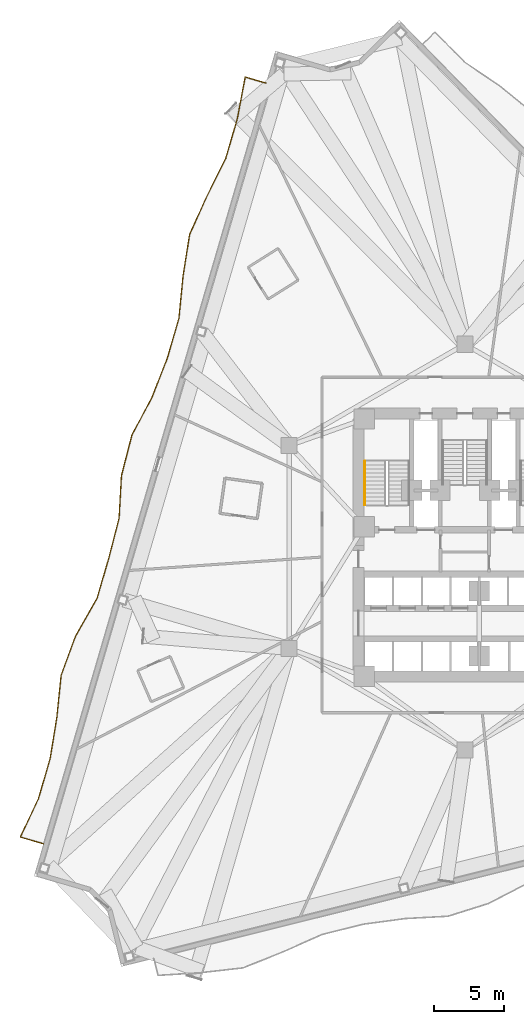
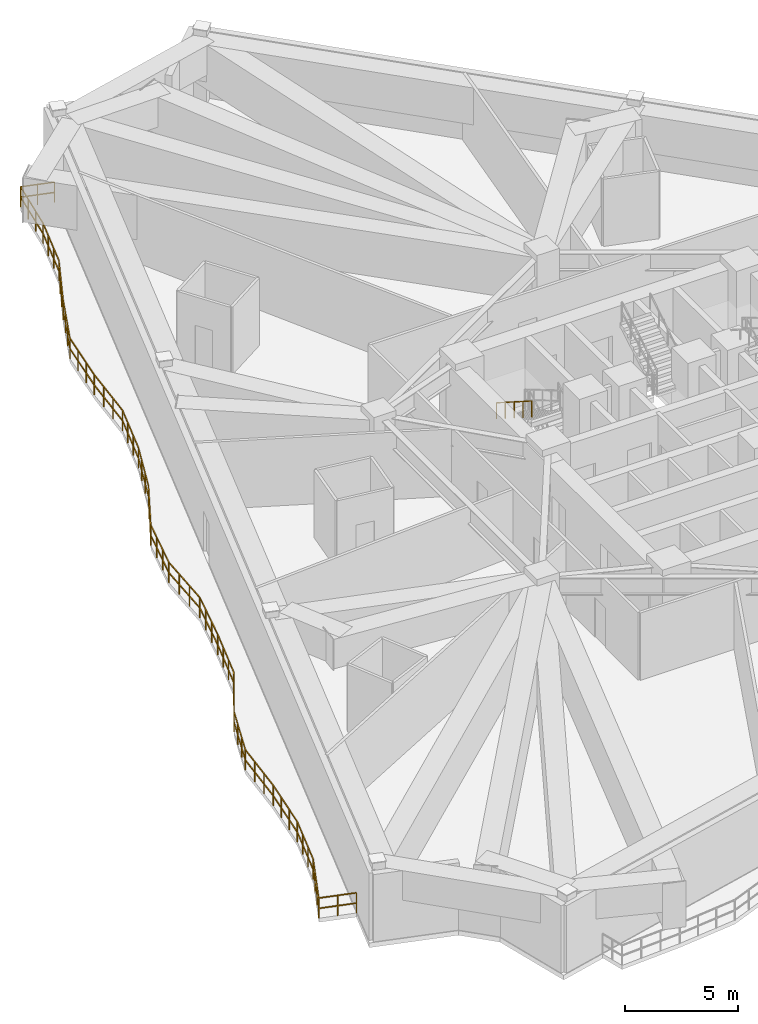
# One storey, part 12 of 14: 2 railings.
"""IFC4 building model written with IfcOpenShell, lengths in metres."""

from ifc_helpers import new_model, si_unit, direction, frame, origin, origin_2d, place, context, subcontext, project, spatial, rectangle, extrude, material, type_object, element, save


model = new_model("IFC4")

# Units and contexts
model_context = context("Model", 3, precision=1e-05, world=origin(), true_north=direction((0.0, 1.0)))
body_context = subcontext(model_context, "Body", "Model", "MODEL_VIEW")
ifc_project = project(units=[si_unit("LENGTHUNIT", "METRE"), si_unit("AREAUNIT", "SQUARE_METRE"), si_unit("VOLUMEUNIT", "CUBIC_METRE"), si_unit("PLANEANGLEUNIT", "RADIAN"), si_unit("MASSUNIT", "GRAM", prefix="KILO")], contexts=[model_context])

# Site, building, storey
site_placement = place(None, origin())
site = spatial("IfcSite", under=ifc_project, at=site_placement, CompositionType="ELEMENT")
building_placement = place(site_placement, origin())
building = spatial("IfcBuilding", under=site, at=building_placement, Name="Apsidion Concourse Tower", CompositionType="ELEMENT")
storey_placement = place(building_placement, frame((0.0, 0.0, 123.0)))
storey = spatial("IfcBuildingStorey", under=building, at=storey_placement, Name="L28", CompositionType="ELEMENT", Elevation=123.0)

# Railings
ifc_material = material(Name="Brushed stainless steel 316", Category="steel")
railing_type_1 = type_object("IfcRailingType", Name="RL-BAL-1120", PredefinedType="BALUSTRADE", material=ifc_material)
railing_1_placement = place(storey_placement, frame((-30.13330078125, -21.2216796875, 0.0)))
element("IfcRailing", 1, at=railing_1_placement, inside=storey, type_object=railing_type_1, Name="L28 Face 1 Rippling Balcony Balustrade", PredefinedType="BALUSTRADE", context=body_context, shape_type="SweptSolid", body=[
    extrude(rectangle(XDim=0.048095703125, YDim=0.048095703125, at=origin_2d()), frame((0.0, 0.0, 1.09619140625), z_axis=(-0.959791512446, 0.280713826943, 0.0), x_axis=(-0.280713826943, -0.959791512446, 0.0)), (0.0, 0.0, 1.0), 1.72021484375),
    extrude(rectangle(XDim=0.048095703125, YDim=0.048095703125, at=origin_2d()), frame((0.0, 0.0, 0.5361328125), z_axis=(-0.959791512446, 0.280713826943, 0.0), x_axis=(-0.280713826943, -0.959791512446, 0.0)), (0.0, 0.0, 1.0), 1.72021484375),
    extrude(rectangle(XDim=0.048095703125, YDim=0.048095703125, at=origin_2d()), frame((-1.651123046875, 0.48291015625, 1.09619140625), z_axis=(0.42678961385, 0.904350941565, 0.0), x_axis=(-0.904350941565, 0.42678961385, 0.0)), (0.0, 0.0, 1.0), 3.019775390625),
    extrude(rectangle(XDim=0.048095703125, YDim=0.048095703125, at=origin_2d()), frame((-1.651123046875, 0.48291015625, 0.5361328125), z_axis=(0.42678961385, 0.904350941565, 0.0), x_axis=(-0.904350941565, 0.42678961385, 0.0)), (0.0, 0.0, 1.0), 3.019775390625),
    extrude(rectangle(XDim=0.048095703125, YDim=0.048095703125, at=origin_2d()), frame((-0.3623046875, 3.2138671875, 1.09619140625), z_axis=(0.280823361776, 0.959759469597, 0.0), x_axis=(-0.959759469597, 0.280823361776, 0.0)), (0.0, 0.0, 1.0), 2.98291015625),
    extrude(rectangle(XDim=0.048095703125, YDim=0.048095703125, at=origin_2d()), frame((-0.3623046875, 3.2138671875, 0.5361328125), z_axis=(0.280823361776, 0.959759469597, 0.0), x_axis=(-0.959759469597, 0.280823361776, 0.0)), (0.0, 0.0, 1.0), 2.98291015625),
    extrude(rectangle(XDim=0.048095703125, YDim=0.048095703125, at=origin_2d()), frame((0.475341796875, 6.07666015625, 1.09619140625), z_axis=(0.160657200853, 0.987010265303, 0.0), x_axis=(-0.987010265303, 0.160657200853, 0.0)), (0.0, 0.0, 1.0), 3.005859375),
    extrude(rectangle(XDim=0.048095703125, YDim=0.048095703125, at=origin_2d()), frame((0.475341796875, 6.07666015625, 0.5361328125), z_axis=(0.160657200853, 0.987010265303, 0.0), x_axis=(-0.987010265303, 0.160657200853, 0.0)), (0.0, 0.0, 1.0), 3.005859375),
    extrude(rectangle(XDim=0.048095703125, YDim=0.048095703125, at=origin_2d()), frame((0.958251953125, 9.04345703125, 1.09619140625), z_axis=(0.101081295951, 0.994878169229, 0.0), x_axis=(-0.994878169229, 0.101081295951, 0.0)), (0.0, 0.0, 1.0), 3.03369140625),
    extrude(rectangle(XDim=0.048095703125, YDim=0.048095703125, at=origin_2d()), frame((0.958251953125, 9.04345703125, 0.5361328125), z_axis=(0.101081295951, 0.994878169229, 0.0), x_axis=(-0.994878169229, 0.101081295951, 0.0)), (0.0, 0.0, 1.0), 3.03369140625),
    extrude(rectangle(XDim=0.048095703125, YDim=0.048095703125, at=origin_2d()), frame((1.264892578125, 12.0615234375, 1.09619140625), z_axis=(0.346825033594, 0.937929846029, 0.0), x_axis=(-0.937929846029, 0.346825033594, 0.0)), (0.0, 0.0, 1.0), 2.990234375),
    extrude(rectangle(XDim=0.048095703125, YDim=0.048095703125, at=origin_2d()), frame((1.264892578125, 12.0615234375, 0.5361328125), z_axis=(0.346825033594, 0.937929846029, 0.0), x_axis=(-0.937929846029, 0.346825033594, 0.0)), (0.0, 0.0, 1.0), 2.990234375),
    extrude(rectangle(XDim=0.048095703125, YDim=0.048095703125, at=origin_2d()), frame((2.302001953125, 14.8662109375, 1.09619140625), z_axis=(0.496653137114, 0.867949112215, 0.0), x_axis=(-0.867949112215, 0.496653137114, 0.0)), (0.0, 0.0, 1.0), 3.0673828125),
    extrude(rectangle(XDim=0.048095703125, YDim=0.048095703125, at=origin_2d()), frame((2.302001953125, 14.8662109375, 0.5361328125), z_axis=(0.496653137114, 0.867949112215, 0.0), x_axis=(-0.867949112215, 0.496653137114, 0.0)), (0.0, 0.0, 1.0), 3.0673828125),
    extrude(rectangle(XDim=0.048095703125, YDim=0.048095703125, at=origin_2d()), frame((3.825439453125, 17.528564453125, 1.09619140625), z_axis=(0.280725911516, 0.959787977943, 0.0), x_axis=(-0.959787977943, 0.280725911516, 0.0)), (0.0, 0.0, 1.0), 2.98291015625),
    extrude(rectangle(XDim=0.048095703125, YDim=0.048095703125, at=origin_2d()), frame((3.825439453125, 17.528564453125, 0.5361328125), z_axis=(0.280725911516, 0.959787977943, 0.0), x_axis=(-0.959787977943, 0.280725911516, 0.0)), (0.0, 0.0, 1.0), 2.98291015625),
    extrude(rectangle(XDim=0.048095703125, YDim=0.048095703125, at=origin_2d()), frame((4.662841796875, 20.3916015625, 1.09619140625), z_axis=(0.249746891283, 0.968311153656, 0.0), x_axis=(-0.968311153656, 0.249746891283, 0.0)), (0.0, 0.0, 1.0), 2.984375),
    extrude(rectangle(XDim=0.048095703125, YDim=0.048095703125, at=origin_2d()), frame((4.662841796875, 20.3916015625, 0.5361328125), z_axis=(0.249746891283, 0.968311153656, 0.0), x_axis=(-0.968311153656, 0.249746891283, 0.0)), (0.0, 0.0, 1.0), 2.984375),
    extrude(rectangle(XDim=0.048095703125, YDim=0.048095703125, at=origin_2d()), frame((5.408203125, 23.281494140625, 1.09619140625), z_axis=(0.056207416359, 0.998419113572, 0.0), x_axis=(-0.998419113572, 0.056207416359, 0.0)), (0.0, 0.0, 1.0), 3.062255859375),
    extrude(rectangle(XDim=0.048095703125, YDim=0.048095703125, at=origin_2d()), frame((5.408203125, 23.281494140625, 0.5361328125), z_axis=(0.056207416359, 0.998419113572, 0.0), x_axis=(-0.998419113572, 0.056207416359, 0.0)), (0.0, 0.0, 1.0), 3.062255859375),
    extrude(rectangle(XDim=0.048095703125, YDim=0.048095703125, at=origin_2d()), frame((5.580322265625, 26.3388671875, 1.09619140625), z_axis=(0.250053659167, 0.968231980229, 0.0), x_axis=(-0.968231980229, 0.250053659167, 0.0)), (0.0, 0.0, 1.0), 2.984619140625),
    extrude(rectangle(XDim=0.048095703125, YDim=0.048095703125, at=origin_2d()), frame((5.580322265625, 26.3388671875, 0.5361328125), z_axis=(0.250053659167, 0.968231980229, 0.0), x_axis=(-0.968231980229, 0.250053659167, 0.0)), (0.0, 0.0, 1.0), 2.984619140625),
    extrude(rectangle(XDim=0.048095703125, YDim=0.048095703125, at=origin_2d()), frame((6.32666015625, 29.228759765625, 1.09619140625), z_axis=(0.470018286931, 0.882656677282, 0.0), x_axis=(-0.882656677282, 0.470018286931, 0.0)), (0.0, 0.0, 1.0), 3.04638671875),
    extrude(rectangle(XDim=0.048095703125, YDim=0.048095703125, at=origin_2d()), frame((6.32666015625, 29.228759765625, 0.5361328125), z_axis=(0.470018286931, 0.882656677282, 0.0), x_axis=(-0.882656677282, 0.470018286931, 0.0)), (0.0, 0.0, 1.0), 3.04638671875),
    extrude(rectangle(XDim=0.048095703125, YDim=0.048095703125, at=origin_2d()), frame((7.758544921875, 31.917724609375, 1.09619140625), z_axis=(0.36464831204, 0.931145320842, 0.0), x_axis=(-0.931145320842, 0.36464831204, 0.0)), (0.0, 0.0, 1.0), 2.994873046875),
    extrude(rectangle(XDim=0.048095703125, YDim=0.048095703125, at=origin_2d()), frame((7.758544921875, 31.917724609375, 0.5361328125), z_axis=(0.36464831204, 0.931145320842, 0.0), x_axis=(-0.931145320842, 0.36464831204, 0.0)), (0.0, 0.0, 1.0), 2.994873046875),
    extrude(rectangle(XDim=0.048095703125, YDim=0.048095703125, at=origin_2d()), frame((8.8505859375, 34.706298828125, 1.09619140625), z_axis=(0.280747965083, 0.959781527277, 0.0), x_axis=(-0.959781527277, 0.280747965083, 0.0)), (0.0, 0.0, 1.0), 2.982666015625),
    extrude(rectangle(XDim=0.048095703125, YDim=0.048095703125, at=origin_2d()), frame((8.8505859375, 34.706298828125, 0.5361328125), z_axis=(0.280747965083, 0.959781527277, 0.0), x_axis=(-0.959781527277, 0.280747965083, 0.0)), (0.0, 0.0, 1.0), 2.982666015625),
    extrude(rectangle(XDim=0.048095703125, YDim=0.048095703125, at=origin_2d()), frame((9.68798828125, 37.569091796875, 1.09619140625), z_axis=(0.096072396978, 0.995374348946, 0.0), x_axis=(-0.995374348946, 0.096072396978, 0.0)), (0.0, 0.0, 1.0), 3.036865234375),
    extrude(rectangle(XDim=0.048095703125, YDim=0.048095703125, at=origin_2d()), frame((9.68798828125, 37.569091796875, 0.5361328125), z_axis=(0.096072396978, 0.995374348946, 0.0), x_axis=(-0.995374348946, 0.096072396978, 0.0)), (0.0, 0.0, 1.0), 3.036865234375),
    extrude(rectangle(XDim=0.048095703125, YDim=0.048095703125, at=origin_2d()), frame((9.979736328125, 40.591796875, 1.09619140625), z_axis=(0.156850504956, 0.987622356518, 0.0), x_axis=(-0.987622356518, 0.156850504956, 0.0)), (0.0, 0.0, 1.0), 3.007080078125),
    extrude(rectangle(XDim=0.048095703125, YDim=0.048095703125, at=origin_2d()), frame((9.979736328125, 40.591796875, 0.5361328125), z_axis=(0.156850504956, 0.987622356518, 0.0), x_axis=(-0.987622356518, 0.156850504956, 0.0)), (0.0, 0.0, 1.0), 3.007080078125),
    extrude(rectangle(XDim=0.048095703125, YDim=0.048095703125, at=origin_2d()), frame((10.451416015625, 43.561767578125, 1.09619140625), z_axis=(0.409828608462, 0.912162546746, 0.0), x_axis=(-0.912162546746, 0.409828608462, 0.0)), (0.0, 0.0, 1.0), 3.01123046875),
    extrude(rectangle(XDim=0.048095703125, YDim=0.048095703125, at=origin_2d()), frame((10.451416015625, 43.561767578125, 0.5361328125), z_axis=(0.409828608462, 0.912162546746, 0.0), x_axis=(-0.912162546746, 0.409828608462, 0.0)), (0.0, 0.0, 1.0), 3.01123046875),
    extrude(rectangle(XDim=0.048095703125, YDim=0.048095703125, at=origin_2d()), frame((11.685546875, 46.30859375, 1.09619140625), z_axis=(0.446246734925, 0.894909968415, 0.0), x_axis=(-0.894909968415, 0.446246734925, 0.0)), (0.0, 0.0, 1.0), 3.031005859375),
    extrude(rectangle(XDim=0.048095703125, YDim=0.048095703125, at=origin_2d()), frame((11.685546875, 46.30859375, 0.5361328125), z_axis=(0.446246734925, 0.894909968415, 0.0), x_axis=(-0.894909968415, 0.446246734925, 0.0)), (0.0, 0.0, 1.0), 3.031005859375),
    extrude(rectangle(XDim=0.048095703125, YDim=0.048095703125, at=origin_2d()), frame((13.0380859375, 49.02099609375, 1.09619140625), z_axis=(0.280747965083, 0.959781527277, 0.0), x_axis=(-0.959781527277, 0.280747965083, 0.0)), (0.0, 0.0, 1.0), 2.982666015625),
    extrude(rectangle(XDim=0.048095703125, YDim=0.048095703125, at=origin_2d()), frame((13.0380859375, 49.02099609375, 0.5361328125), z_axis=(0.280747965083, 0.959781527277, 0.0), x_axis=(-0.959781527277, 0.280747965083, 0.0)), (0.0, 0.0, 1.0), 2.982666015625),
    extrude(rectangle(XDim=0.048095703125, YDim=0.048095703125, at=origin_2d()), frame((13.87548828125, 51.8837890625, 1.09619140625), z_axis=(0.183383798816, 0.983041394007, 0.0), x_axis=(-0.983041394007, 0.183383798816, 0.0)), (0.0, 0.0, 1.0), 2.998046875),
    extrude(rectangle(XDim=0.048095703125, YDim=0.048095703125, at=origin_2d()), frame((13.87548828125, 51.8837890625, 0.5361328125), z_axis=(0.183383798816, 0.983041394007, 0.0), x_axis=(-0.983041394007, 0.183383798816, 0.0)), (0.0, 0.0, 1.0), 2.998046875),
    extrude(rectangle(XDim=0.048095703125, YDim=0.048095703125, at=origin_2d()), frame((14.42529296875, 54.8310546875, 1.09619140625), z_axis=(0.959793319768, -0.280707647436, 0.0), x_axis=(0.280707647436, 0.959793319768, 0.0)), (0.0, 0.0, 1.0), 1.5498046875),
    extrude(rectangle(XDim=0.048095703125, YDim=0.048095703125, at=origin_2d()), frame((14.42529296875, 54.8310546875, 0.5361328125), z_axis=(0.959793319768, -0.280707647436, 0.0), x_axis=(0.280707647436, 0.959793319768, 0.0)), (0.0, 0.0, 1.0), 1.5498046875),
    extrude(rectangle(XDim=0.0419921875, YDim=0.0419921875, at=origin_2d()), origin(), (0.0, 0.0, 1.0), 1.072021484375),
    extrude(rectangle(XDim=0.0419921875, YDim=0.0419921875, at=origin_2d()), frame((-0.82568359375, 0.241455078125, 0.0)), (0.0, 0.0, 1.0), 1.072021484375),
    extrude(rectangle(XDim=0.0419921875, YDim=0.0419921875, at=origin_2d()), frame((-1.651123046875, 0.48291015625, 0.0)), (0.0, 0.0, 1.0), 1.072021484375),
    extrude(rectangle(XDim=0.0419921875, YDim=0.0419921875, at=origin_2d()), frame((-1.221435546875, 1.393310546875, 0.0)), (0.0, 0.0, 1.0), 1.072021484375),
    extrude(rectangle(XDim=0.0419921875, YDim=0.0419921875, at=origin_2d()), frame((-0.7919921875, 2.303466796875, 0.0)), (0.0, 0.0, 1.0), 1.072021484375),
    extrude(rectangle(XDim=0.0419921875, YDim=0.0419921875, at=origin_2d()), frame((-0.3623046875, 3.2138671875, 0.0)), (0.0, 0.0, 1.0), 1.072021484375),
    extrude(rectangle(XDim=0.0419921875, YDim=0.0419921875, at=origin_2d()), frame((-0.0830078125, 4.168212890625, 0.0)), (0.0, 0.0, 1.0), 1.072021484375),
    extrude(rectangle(XDim=0.0419921875, YDim=0.0419921875, at=origin_2d()), frame((0.196044921875, 5.122314453125, 0.0)), (0.0, 0.0, 1.0), 1.072021484375),
    extrude(rectangle(XDim=0.0419921875, YDim=0.0419921875, at=origin_2d()), frame((0.475341796875, 6.07666015625, 0.0)), (0.0, 0.0, 1.0), 1.072021484375),
    extrude(rectangle(XDim=0.0419921875, YDim=0.0419921875, at=origin_2d()), frame((0.63623046875, 7.065673828125, 0.0)), (0.0, 0.0, 1.0), 1.072021484375),
    extrude(rectangle(XDim=0.0419921875, YDim=0.0419921875, at=origin_2d()), frame((0.79736328125, 8.054443359375, 0.0)), (0.0, 0.0, 1.0), 1.072021484375),
    extrude(rectangle(XDim=0.0419921875, YDim=0.0419921875, at=origin_2d()), frame((0.958251953125, 9.04345703125, 0.0)), (0.0, 0.0, 1.0), 1.072021484375),
    extrude(rectangle(XDim=0.0419921875, YDim=0.0419921875, at=origin_2d()), frame((1.060546875, 10.049560546875, 0.0)), (0.0, 0.0, 1.0), 1.072021484375),
    extrude(rectangle(XDim=0.0419921875, YDim=0.0419921875, at=origin_2d()), frame((1.16259765625, 11.055419921875, 0.0)), (0.0, 0.0, 1.0), 1.072021484375),
    extrude(rectangle(XDim=0.0419921875, YDim=0.0419921875, at=origin_2d()), frame((1.264892578125, 12.0615234375, 0.0)), (0.0, 0.0, 1.0), 1.072021484375),
    extrude(rectangle(XDim=0.0419921875, YDim=0.0419921875, at=origin_2d()), frame((1.610595703125, 12.996337890625, 0.0)), (0.0, 0.0, 1.0), 1.072021484375),
    extrude(rectangle(XDim=0.0419921875, YDim=0.0419921875, at=origin_2d()), frame((1.956298828125, 13.931396484375, 0.0)), (0.0, 0.0, 1.0), 1.072021484375),
    extrude(rectangle(XDim=0.0419921875, YDim=0.0419921875, at=origin_2d()), frame((2.302001953125, 14.8662109375, 0.0)), (0.0, 0.0, 1.0), 1.072021484375),
    extrude(rectangle(XDim=0.0419921875, YDim=0.0419921875, at=origin_2d()), frame((2.809814453125, 15.753662109375, 0.0)), (0.0, 0.0, 1.0), 1.072021484375),
    extrude(rectangle(XDim=0.0419921875, YDim=0.0419921875, at=origin_2d()), frame((3.317626953125, 16.64111328125, 0.0)), (0.0, 0.0, 1.0), 1.072021484375),
    extrude(rectangle(XDim=0.0419921875, YDim=0.0419921875, at=origin_2d()), frame((3.825439453125, 17.528564453125, 0.0)), (0.0, 0.0, 1.0), 1.072021484375),
    extrude(rectangle(XDim=0.0419921875, YDim=0.0419921875, at=origin_2d()), frame((4.1044921875, 18.48291015625, 0.0)), (0.0, 0.0, 1.0), 1.072021484375),
    extrude(rectangle(XDim=0.0419921875, YDim=0.0419921875, at=origin_2d()), frame((4.3837890625, 19.437255859375, 0.0)), (0.0, 0.0, 1.0), 1.072021484375),
    extrude(rectangle(XDim=0.0419921875, YDim=0.0419921875, at=origin_2d()), frame((4.662841796875, 20.3916015625, 0.0)), (0.0, 0.0, 1.0), 1.072021484375),
    extrude(rectangle(XDim=0.0419921875, YDim=0.0419921875, at=origin_2d()), frame((4.911376953125, 21.35498046875, 0.0)), (0.0, 0.0, 1.0), 1.072021484375),
    extrude(rectangle(XDim=0.0419921875, YDim=0.0419921875, at=origin_2d()), frame((5.15966796875, 22.318115234375, 0.0)), (0.0, 0.0, 1.0), 1.072021484375),
    extrude(rectangle(XDim=0.0419921875, YDim=0.0419921875, at=origin_2d()), frame((5.408203125, 23.281494140625, 0.0)), (0.0, 0.0, 1.0), 1.072021484375),
    extrude(rectangle(XDim=0.0419921875, YDim=0.0419921875, at=origin_2d()), frame((5.465576171875, 24.300537109375, 0.0)), (0.0, 0.0, 1.0), 1.072021484375),
    extrude(rectangle(XDim=0.0419921875, YDim=0.0419921875, at=origin_2d()), frame((5.52294921875, 25.31982421875, 0.0)), (0.0, 0.0, 1.0), 1.072021484375),
    extrude(rectangle(XDim=0.0419921875, YDim=0.0419921875, at=origin_2d()), frame((5.580322265625, 26.3388671875, 0.0)), (0.0, 0.0, 1.0), 1.072021484375),
    extrude(rectangle(XDim=0.0419921875, YDim=0.0419921875, at=origin_2d()), frame((5.8291015625, 27.30224609375, 0.0)), (0.0, 0.0, 1.0), 1.072021484375),
    extrude(rectangle(XDim=0.0419921875, YDim=0.0419921875, at=origin_2d()), frame((6.077880859375, 28.265380859375, 0.0)), (0.0, 0.0, 1.0), 1.072021484375),
    extrude(rectangle(XDim=0.0419921875, YDim=0.0419921875, at=origin_2d()), frame((6.32666015625, 29.228759765625, 0.0)), (0.0, 0.0, 1.0), 1.072021484375),
    extrude(rectangle(XDim=0.0419921875, YDim=0.0419921875, at=origin_2d()), frame((6.803955078125, 30.125, 0.0)), (0.0, 0.0, 1.0), 1.072021484375),
    extrude(rectangle(XDim=0.0419921875, YDim=0.0419921875, at=origin_2d()), frame((7.28125, 31.021484375, 0.0)), (0.0, 0.0, 1.0), 1.072021484375),
    extrude(rectangle(XDim=0.0419921875, YDim=0.0419921875, at=origin_2d()), frame((7.758544921875, 31.917724609375, 0.0)), (0.0, 0.0, 1.0), 1.072021484375),
    extrude(rectangle(XDim=0.0419921875, YDim=0.0419921875, at=origin_2d()), frame((8.12255859375, 32.84716796875, 0.0)), (0.0, 0.0, 1.0), 1.072021484375),
    extrude(rectangle(XDim=0.0419921875, YDim=0.0419921875, at=origin_2d()), frame((8.486572265625, 33.77685546875, 0.0)), (0.0, 0.0, 1.0), 1.072021484375),
    extrude(rectangle(XDim=0.0419921875, YDim=0.0419921875, at=origin_2d()), frame((8.8505859375, 34.706298828125, 0.0)), (0.0, 0.0, 1.0), 1.072021484375),
    extrude(rectangle(XDim=0.0419921875, YDim=0.0419921875, at=origin_2d()), frame((9.129638671875, 35.66064453125, 0.0)), (0.0, 0.0, 1.0), 1.072021484375),
    extrude(rectangle(XDim=0.0419921875, YDim=0.0419921875, at=origin_2d()), frame((9.408935546875, 36.61474609375, 0.0)), (0.0, 0.0, 1.0), 1.072021484375),
    extrude(rectangle(XDim=0.0419921875, YDim=0.0419921875, at=origin_2d()), frame((9.68798828125, 37.569091796875, 0.0)), (0.0, 0.0, 1.0), 1.072021484375),
    extrude(rectangle(XDim=0.0419921875, YDim=0.0419921875, at=origin_2d()), frame((9.78515625, 38.57666015625, 0.0)), (0.0, 0.0, 1.0), 1.072021484375),
    extrude(rectangle(XDim=0.0419921875, YDim=0.0419921875, at=origin_2d()), frame((9.882568359375, 39.584228515625, 0.0)), (0.0, 0.0, 1.0), 1.072021484375),
    extrude(rectangle(XDim=0.0419921875, YDim=0.0419921875, at=origin_2d()), frame((9.979736328125, 40.591796875, 0.0)), (0.0, 0.0, 1.0), 1.072021484375),
    extrude(rectangle(XDim=0.0419921875, YDim=0.0419921875, at=origin_2d()), frame((10.136962890625, 41.581787109375, 0.0)), (0.0, 0.0, 1.0), 1.072021484375),
    extrude(rectangle(XDim=0.0419921875, YDim=0.0419921875, at=origin_2d()), frame((10.294189453125, 42.57177734375, 0.0)), (0.0, 0.0, 1.0), 1.072021484375),
    extrude(rectangle(XDim=0.0419921875, YDim=0.0419921875, at=origin_2d()), frame((10.451416015625, 43.561767578125, 0.0)), (0.0, 0.0, 1.0), 1.072021484375),
    extrude(rectangle(XDim=0.0419921875, YDim=0.0419921875, at=origin_2d()), frame((10.86279296875, 44.477294921875, 0.0)), (0.0, 0.0, 1.0), 1.072021484375),
    extrude(rectangle(XDim=0.0419921875, YDim=0.0419921875, at=origin_2d()), frame((11.274169921875, 45.39306640625, 0.0)), (0.0, 0.0, 1.0), 1.072021484375),
    extrude(rectangle(XDim=0.0419921875, YDim=0.0419921875, at=origin_2d()), frame((11.685546875, 46.30859375, 0.0)), (0.0, 0.0, 1.0), 1.072021484375),
    extrude(rectangle(XDim=0.0419921875, YDim=0.0419921875, at=origin_2d()), frame((12.136474609375, 47.212646484375, 0.0)), (0.0, 0.0, 1.0), 1.072021484375),
    extrude(rectangle(XDim=0.0419921875, YDim=0.0419921875, at=origin_2d()), frame((12.587158203125, 48.116943359375, 0.0)), (0.0, 0.0, 1.0), 1.072021484375),
    extrude(rectangle(XDim=0.0419921875, YDim=0.0419921875, at=origin_2d()), frame((13.0380859375, 49.02099609375, 0.0)), (0.0, 0.0, 1.0), 1.072021484375),
    extrude(rectangle(XDim=0.0419921875, YDim=0.0419921875, at=origin_2d()), frame((13.317138671875, 49.975341796875, 0.0)), (0.0, 0.0, 1.0), 1.072021484375),
    extrude(rectangle(XDim=0.0419921875, YDim=0.0419921875, at=origin_2d()), frame((13.596435546875, 50.929443359375, 0.0)), (0.0, 0.0, 1.0), 1.072021484375),
    extrude(rectangle(XDim=0.0419921875, YDim=0.0419921875, at=origin_2d()), frame((13.87548828125, 51.8837890625, 0.0)), (0.0, 0.0, 1.0), 1.072021484375),
    extrude(rectangle(XDim=0.0419921875, YDim=0.0419921875, at=origin_2d()), frame((14.058837890625, 52.8662109375, 0.0)), (0.0, 0.0, 1.0), 1.072021484375),
    extrude(rectangle(XDim=0.0419921875, YDim=0.0419921875, at=origin_2d()), frame((14.241943359375, 53.8486328125, 0.0)), (0.0, 0.0, 1.0), 1.072021484375),
    extrude(rectangle(XDim=0.0419921875, YDim=0.0419921875, at=origin_2d()), frame((14.42529296875, 54.8310546875, 0.0)), (0.0, 0.0, 1.0), 1.072021484375),
    extrude(rectangle(XDim=0.0419921875, YDim=0.0419921875, at=origin_2d()), frame((15.1689453125, 54.613525390625, 0.0)), (0.0, 0.0, 1.0), 1.072021484375),
    extrude(rectangle(XDim=0.0419921875, YDim=0.0419921875, at=origin_2d()), frame((15.912841796875, 54.39599609375, 0.0)), (0.0, 0.0, 1.0), 1.072021484375),
])
railing_type_2 = type_object("IfcRailingType", Name="RL-HAND-900", PredefinedType="HANDRAIL", material=ifc_material)
railing_2_placement = place(storey_placement, frame((-7.14990234375, 6.135009765625, 2.166748046875)))
element("IfcRailing", 2, at=railing_2_placement, inside=storey, type_object=railing_type_2, Name="L28 ST1 stair handrail 2", PredefinedType="HANDRAIL", context=body_context, shape_type="SweptSolid", body=[
    extrude(rectangle(XDim=0.048095703125, YDim=0.048095703125, at=origin_2d()), frame((0.0, 0.0, 0.8759765625), z_axis=(0.0, -0.843052688722, 0.537830980921), x_axis=(1.0, 0.0, 0.0)), (0.0, 0.0, 1.0), 3.71875),
    extrude(rectangle(XDim=0.0419921875, YDim=0.0419921875, at=origin_2d()), origin(), (0.0, 0.0, 1.0), 0.851806640625),
    extrude(rectangle(XDim=0.0419921875, YDim=0.0419921875, at=origin_2d()), frame((0.0, -0.78369140625, 0.5)), (0.0, 0.0, 1.0), 0.851806640625),
    extrude(rectangle(XDim=0.0419921875, YDim=0.0419921875, at=origin_2d()), frame((0.0, -1.5673828125, 1.0)), (0.0, 0.0, 1.0), 0.851806640625),
    extrude(rectangle(XDim=0.0419921875, YDim=0.0419921875, at=origin_2d()), frame((0.0, -2.351318359375, 1.5)), (0.0, 0.0, 1.0), 0.851806640625),
    extrude(rectangle(XDim=0.0419921875, YDim=0.0419921875, at=origin_2d()), frame((0.0, -3.135009765625, 2.0)), (0.0, 0.0, 1.0), 0.851806640625),
])

save(model, "model.ifc")
